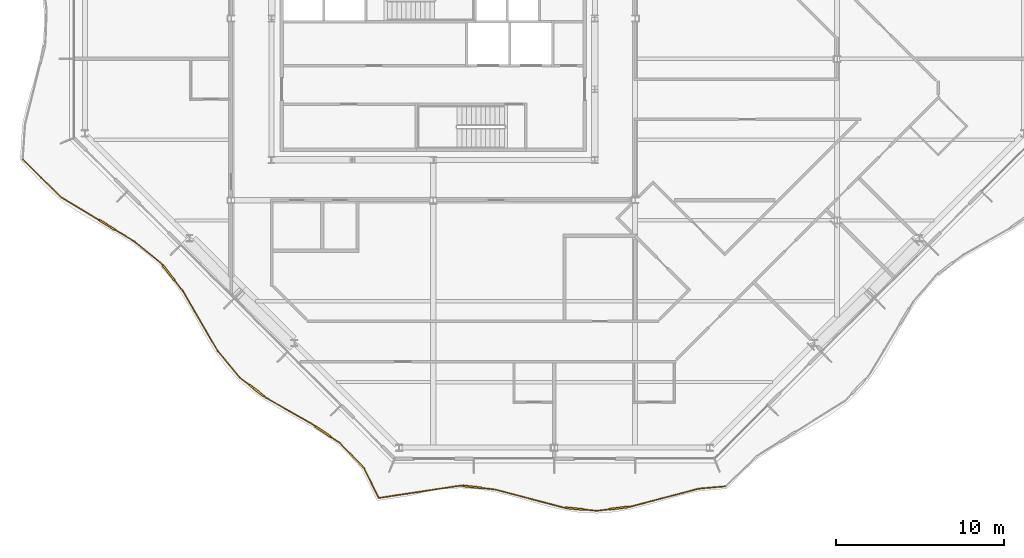
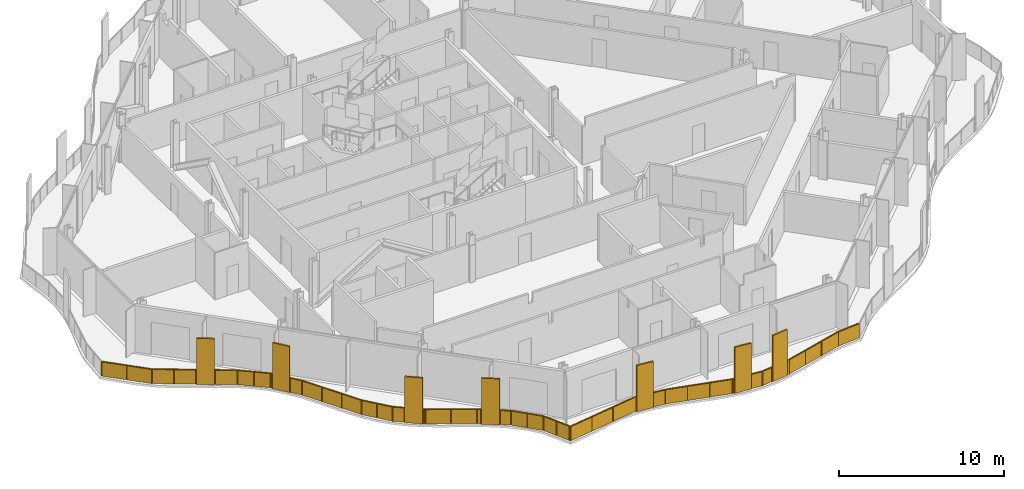
# One storey, part 13 of 17: 2 railings.
"""IFC4 building model written with IfcOpenShell, lengths in metres."""

from ifc_helpers import new_model, si_unit, direction, frame, origin, origin_2d, place, context, subcontext, project, spatial, polyline, rectangle, outline, extrude, material, type_object, element, save


model = new_model("IFC4")

# Units and contexts
model_context = context("Model", 3, precision=1e-05, world=origin(), true_north=direction((0.0, 1.0)))
body_context = subcontext(model_context, "Body", "Model", "MODEL_VIEW")
ifc_project = project(units=[si_unit("LENGTHUNIT", "METRE"), si_unit("AREAUNIT", "SQUARE_METRE"), si_unit("VOLUMEUNIT", "CUBIC_METRE"), si_unit("PLANEANGLEUNIT", "RADIAN"), si_unit("MASSUNIT", "GRAM", prefix="KILO")], contexts=[model_context])

# Site, building, storey
site_placement = place(None, origin())
site = spatial("IfcSite", under=ifc_project, at=site_placement, CompositionType="ELEMENT")
building_placement = place(site_placement, origin())
building = spatial("IfcBuilding", under=site, at=building_placement, Name="Cairn Pilgrim Tower", CompositionType="ELEMENT")
storey_placement = place(building_placement, frame((0.0, 0.0, 235.800048828125)))
storey = spatial("IfcBuildingStorey", under=building, at=storey_placement, Name="L60", CompositionType="ELEMENT", Elevation=235.800048828125)

# Railings
ifc_material = material(Name="Bronze anodised aluminium rail, posts and fin screens with laminated glass infill", Category="aluminium")
railing_type = type_object("IfcRailingType", Name="BALCONY GUARD WITH FIN SCREENS", PredefinedType="GUARDRAIL", material=ifc_material)
railing_1_placement = place(storey_placement, frame((3.95458984375, -26.085205078125, 0.0)))
element("IfcRailing", 1, at=railing_1_placement, inside=storey, type_object=railing_type, Name="Balcony guard BGF-1 with fin screens", PredefinedType="GUARDRAIL", context=body_context, shape_type="SweptSolid", body=[
    extrude(rectangle(XDim=0.050048828125, YDim=0.050048828125, at=origin_2d()), frame((0.0, 0.0, 1.0751953125), z_axis=(0.988828792328, 0.149055759579, 0.0), x_axis=(-0.149055759579, 0.988828792328, 0.0)), (0.0, 0.0, 1.0), 4.93994140625),
    extrude(rectangle(XDim=1.10009765625, YDim=0.110107421875, at=origin_2d()), frame((5.580322265625, 0.65625, 0.0), z_axis=(0.0, 0.0, 1.0), x_axis=(0.99343169529, -0.114426687416, 0.0)), (0.0, 0.0, 1.0), 3.39990234375),
    extrude(rectangle(XDim=0.050048828125, YDim=0.050048828125, at=origin_2d()), frame((4.884765625, 0.736328125, 1.0751953125), z_axis=(0.99343169529, -0.114426687416, 0.0), x_axis=(0.114426687416, 0.99343169529, 0.0)), (0.0, 0.0, 1.0), 0.150146484375),
    extrude(rectangle(XDim=0.050048828125, YDim=0.050048828125, at=origin_2d()), frame((6.126708984375, 0.59326171875, 1.0751953125), z_axis=(0.99343169529, -0.114426687416, 0.0), x_axis=(0.114426687416, 0.99343169529, 0.0)), (0.0, 0.0, 1.0), 0.815185546875),
    extrude(rectangle(XDim=0.050048828125, YDim=0.050048828125, at=origin_2d()), frame((6.9365234375, 0.5, 1.0751953125), z_axis=(0.966779559823, -0.255611585631, 0.0), x_axis=(0.255611585631, 0.966779559823, 0.0)), (0.0, 0.0, 1.0), 4.1796875),
    extrude(rectangle(XDim=1.10009765625, YDim=0.110107421875, at=origin_2d()), frame((11.674072265625, -0.636474609375, 0.0), z_axis=(0.0, 0.0, 1.0), x_axis=(0.99526514308, -0.097197196304, 0.0)), (0.0, 0.0, 1.0), 3.39990234375),
    extrude(rectangle(XDim=0.050048828125, YDim=0.050048828125, at=origin_2d()), frame((10.977294921875, -0.568359375, 1.0751953125), z_axis=(0.99526514308, -0.097197196304, 0.0), x_axis=(0.097197196304, 0.99526514308, 0.0)), (0.0, 0.0, 1.0), 0.150146484375),
    extrude(rectangle(XDim=0.050048828125, YDim=0.050048828125, at=origin_2d()), frame((12.221435546875, -0.68994140625, 1.0751953125), z_axis=(0.99526514308, -0.097197196304, 0.0), x_axis=(0.097197196304, 0.99526514308, 0.0)), (0.0, 0.0, 1.0), 0.751708984375),
    extrude(rectangle(XDim=1.10009765625, YDim=0.110107421875, at=origin_2d()), frame((14.269775390625, -0.601806640625, 0.0), z_axis=(0.0, 0.0, 1.0), x_axis=(0.992415549692, 0.122928339815, 0.0)), (0.0, 0.0, 1.0), 3.39990234375),
    extrude(rectangle(XDim=0.050048828125, YDim=0.050048828125, at=origin_2d()), frame((12.9697265625, -0.762939453125, 1.0751953125), z_axis=(0.992415549692, 0.122928339815, 0.0), x_axis=(-0.122928339815, 0.992415549692, 0.0)), (0.0, 0.0, 1.0), 0.760009765625),
    extrude(rectangle(XDim=0.050048828125, YDim=0.050048828125, at=origin_2d()), frame((14.8154296875, -0.534423828125, 1.0751953125), z_axis=(0.992415549692, 0.122928339815, 0.0), x_axis=(-0.122928339815, 0.992415549692, 0.0)), (0.0, 0.0, 1.0), 0.14990234375),
    extrude(rectangle(XDim=0.050048828125, YDim=0.050048828125, at=origin_2d()), frame((14.96435546875, -0.515869140625, 1.0751953125), z_axis=(0.966883758121, 0.255217159067, 0.0), x_axis=(-0.255217159067, 0.966883758121, 0.0)), (0.0, 0.0, 1.0), 4.18310546875),
    extrude(rectangle(XDim=0.050048828125, YDim=0.050048828125, at=origin_2d()), frame((19.009033203125, 0.5517578125, 1.0751953125), z_axis=(0.996145620937, 0.087714889772, 0.0), x_axis=(-0.087714889772, 0.996145620937, 0.0)), (0.0, 0.0, 1.0), 1.55322265625),
    extrude(rectangle(XDim=0.050048828125, YDim=0.050048828125, at=origin_2d()), origin(), (0.0, 0.0, 1.0), 1.050048828125),
    extrude(rectangle(XDim=0.050048828125, YDim=0.050048828125, at=origin_2d()), frame((1.628173828125, 0.245361328125, 0.0)), (0.0, 0.0, 1.0), 1.050048828125),
    extrude(rectangle(XDim=0.050048828125, YDim=0.050048828125, at=origin_2d()), frame((3.256591796875, 0.490966796875, 0.0)), (0.0, 0.0, 1.0), 1.050048828125),
    extrude(rectangle(XDim=0.050048828125, YDim=0.050048828125, at=origin_2d()), frame((4.884765625, 0.736328125, 0.0)), (0.0, 0.0, 1.0), 1.050048828125),
    extrude(rectangle(XDim=0.050048828125, YDim=0.050048828125, at=origin_2d()), frame((5.009033203125, 0.721923828125, 0.0)), (0.0, 0.0, 1.0), 1.050048828125),
    extrude(rectangle(XDim=0.050048828125, YDim=0.050048828125, at=origin_2d()), frame((6.151611328125, 0.59033203125, 0.0)), (0.0, 0.0, 1.0), 1.050048828125),
    extrude(rectangle(XDim=0.050048828125, YDim=0.050048828125, at=origin_2d()), frame((6.9365234375, 0.5, 0.0)), (0.0, 0.0, 1.0), 1.050048828125),
    extrude(rectangle(XDim=0.050048828125, YDim=0.050048828125, at=origin_2d()), frame((8.283447265625, 0.143798828125, 0.0)), (0.0, 0.0, 1.0), 1.050048828125),
    extrude(rectangle(XDim=0.050048828125, YDim=0.050048828125, at=origin_2d()), frame((9.63037109375, -0.212158203125, 0.0)), (0.0, 0.0, 1.0), 1.050048828125),
    extrude(rectangle(XDim=0.050048828125, YDim=0.050048828125, at=origin_2d()), frame((10.977294921875, -0.568359375, 0.0)), (0.0, 0.0, 1.0), 1.050048828125),
    extrude(rectangle(XDim=0.050048828125, YDim=0.050048828125, at=origin_2d()), frame((11.101806640625, -0.58056640625, 0.0)), (0.0, 0.0, 1.0), 1.050048828125),
    extrude(rectangle(XDim=0.050048828125, YDim=0.050048828125, at=origin_2d()), frame((12.246337890625, -0.6923828125, 0.0)), (0.0, 0.0, 1.0), 1.050048828125),
    extrude(rectangle(XDim=0.050048828125, YDim=0.050048828125, at=origin_2d()), frame((12.9697265625, -0.762939453125, 0.0)), (0.0, 0.0, 1.0), 1.050048828125),
    extrude(rectangle(XDim=0.050048828125, YDim=0.050048828125, at=origin_2d()), frame((13.698974609375, -0.672607421875, 0.0)), (0.0, 0.0, 1.0), 1.050048828125),
    extrude(rectangle(XDim=0.050048828125, YDim=0.050048828125, at=origin_2d()), frame((14.84033203125, -0.53125, 0.0)), (0.0, 0.0, 1.0), 1.050048828125),
    extrude(rectangle(XDim=0.050048828125, YDim=0.050048828125, at=origin_2d()), frame((14.96435546875, -0.515869140625, 0.0)), (0.0, 0.0, 1.0), 1.050048828125),
    extrude(rectangle(XDim=0.050048828125, YDim=0.050048828125, at=origin_2d()), frame((16.3125, -0.159912109375, 0.0)), (0.0, 0.0, 1.0), 1.050048828125),
    extrude(rectangle(XDim=0.050048828125, YDim=0.050048828125, at=origin_2d()), frame((17.660888671875, 0.19580078125, 0.0)), (0.0, 0.0, 1.0), 1.050048828125),
    extrude(rectangle(XDim=0.050048828125, YDim=0.050048828125, at=origin_2d()), frame((19.009033203125, 0.5517578125, 0.0)), (0.0, 0.0, 1.0), 1.050048828125),
    extrude(rectangle(XDim=0.050048828125, YDim=0.050048828125, at=origin_2d()), frame((20.55615234375, 0.68798828125, 0.0)), (0.0, 0.0, 1.0), 1.050048828125),
    extrude(outline(polyline([(0.02490234375, 0.0), (1.62158203125, 0.0), (1.62158203125, 1.050048828125), (0.02490234375, 1.050048828125), (0.02490234375, 0.0)])), frame((-0.0009765625, 0.005859375, 0.0), z_axis=(0.149055759579, -0.988828792328, 0.0), x_axis=(0.988828792328, 0.149055759579, 0.0)), (0.0, 0.0, 1.0), 0.011962890625),
    extrude(outline(polyline([(0.02490234375, 0.0), (1.62158203125, 0.0), (1.62158203125, 1.050048828125), (0.02490234375, 1.050048828125), (0.02490234375, 0.0)])), frame((1.62744140625, 0.25146484375, 0.0), z_axis=(0.149055759579, -0.988828792328, 0.0), x_axis=(0.988828792328, 0.149055759579, 0.0)), (0.0, 0.0, 1.0), 0.011962890625),
    extrude(outline(polyline([(0.02490234375, 0.0), (1.62158203125, 0.0), (1.62158203125, 1.050048828125), (0.02490234375, 1.050048828125), (0.02490234375, 0.0)])), frame((3.255615234375, 0.496826171875, 0.0), z_axis=(0.149055759579, -0.988828792328, 0.0), x_axis=(0.988828792328, 0.149055759579, 0.0)), (0.0, 0.0, 1.0), 0.011962890625),
    extrude(outline(polyline([(0.02490234375, 0.0), (0.10009765625, 0.0), (0.10009765625, 1.050048828125), (0.02490234375, 1.050048828125), (0.02490234375, 0.0)])), frame((4.885498046875, 0.7421875, 0.0), z_axis=(-0.114426687416, -0.99343169529, 0.0), x_axis=(0.99343169529, -0.114426687416, 0.0)), (0.0, 0.0, 1.0), 0.011962890625),
    extrude(outline(polyline([(0.02490234375, 0.0), (0.76513671875, 0.0), (0.76513671875, 1.050048828125), (0.02490234375, 1.050048828125), (0.02490234375, 0.0)])), frame((6.15234375, 0.596435546875, 0.0), z_axis=(-0.114426687416, -0.99343169529, 0.0), x_axis=(0.99343169529, -0.114426687416, 0.0)), (0.0, 0.0, 1.0), 0.011962890625),
    extrude(outline(polyline([(0.02490234375, 0.0), (1.3681640625, 0.0), (1.3681640625, 1.050048828125), (0.02490234375, 1.050048828125), (0.02490234375, 0.0)])), frame((6.93798828125, 0.505859375, 0.0), z_axis=(-0.255611585631, -0.966779559823, 0.0), x_axis=(0.966779559823, -0.255611585631, 0.0)), (0.0, 0.0, 1.0), 0.011962890625),
    extrude(outline(polyline([(0.02490234375, 0.0), (1.3681640625, 0.0), (1.3681640625, 1.050048828125), (0.02490234375, 1.050048828125), (0.02490234375, 0.0)])), frame((8.284912109375, 0.149658203125, 0.0), z_axis=(-0.255611585631, -0.966779559823, 0.0), x_axis=(0.966779559823, -0.255611585631, 0.0)), (0.0, 0.0, 1.0), 0.011962890625),
    extrude(outline(polyline([(0.02490234375, 0.0), (1.3681640625, 0.0), (1.3681640625, 1.050048828125), (0.02490234375, 1.050048828125), (0.02490234375, 0.0)])), frame((9.6318359375, -0.20654296875, 0.0), z_axis=(-0.255611585631, -0.966779559823, 0.0), x_axis=(0.966779559823, -0.255611585631, 0.0)), (0.0, 0.0, 1.0), 0.011962890625),
    extrude(outline(polyline([(0.02490234375, 0.0), (0.10009765625, 0.0), (0.10009765625, 1.050048828125), (0.02490234375, 1.050048828125), (0.02490234375, 0.0)])), frame((10.977783203125, -0.5625, 0.0), z_axis=(-0.097197196304, -0.99526514308, 0.0), x_axis=(0.99526514308, -0.097197196304, 0.0)), (0.0, 0.0, 1.0), 0.011962890625),
    extrude(outline(polyline([(0.02490234375, 0.0), (0.70166015625, 0.0), (0.70166015625, 1.050048828125), (0.02490234375, 1.050048828125), (0.02490234375, 0.0)])), frame((12.2470703125, -0.686279296875, 0.0), z_axis=(-0.097197196304, -0.99526514308, 0.0), x_axis=(0.99526514308, -0.097197196304, 0.0)), (0.0, 0.0, 1.0), 0.011962890625),
    extrude(outline(polyline([(0.02490234375, 0.0), (0.7099609375, 0.0), (0.7099609375, 1.050048828125), (0.02490234375, 1.050048828125), (0.02490234375, 0.0)])), frame((12.968994140625, -0.757080078125, 0.0), z_axis=(0.122928339815, -0.992415549692, 0.0), x_axis=(0.992415549692, 0.122928339815, 0.0)), (0.0, 0.0, 1.0), 0.011962890625),
    extrude(outline(polyline([(0.02490234375, 0.0), (0.099853515625, 0.0), (0.099853515625, 1.050048828125), (0.02490234375, 1.050048828125), (0.02490234375, 0.0)])), frame((14.839599609375, -0.525390625, 0.0), z_axis=(0.122928339815, -0.992415549692, 0.0), x_axis=(0.992415549692, 0.122928339815, 0.0)), (0.0, 0.0, 1.0), 0.011962890625),
    extrude(outline(polyline([(0.02490234375, 0.0), (1.369384765625, 0.0), (1.369384765625, 1.050048828125), (0.02490234375, 1.050048828125), (0.02490234375, 0.0)])), frame((14.962890625, -0.510009765625, 0.0), z_axis=(0.255217159067, -0.966883758121, 0.0), x_axis=(0.966883758121, 0.255217159067, 0.0)), (0.0, 0.0, 1.0), 0.011962890625),
    extrude(outline(polyline([(0.02490234375, 0.0), (1.369384765625, 0.0), (1.369384765625, 1.050048828125), (0.02490234375, 1.050048828125), (0.02490234375, 0.0)])), frame((16.31103515625, -0.154296875, 0.0), z_axis=(0.255217159067, -0.966883758121, 0.0), x_axis=(0.966883758121, 0.255217159067, 0.0)), (0.0, 0.0, 1.0), 0.011962890625),
    extrude(outline(polyline([(0.02490234375, 0.0), (1.369384765625, 0.0), (1.369384765625, 1.050048828125), (0.02490234375, 1.050048828125), (0.02490234375, 0.0)])), frame((17.6591796875, 0.20166015625, 0.0), z_axis=(0.255217159067, -0.966883758121, 0.0), x_axis=(0.966883758121, 0.255217159067, 0.0)), (0.0, 0.0, 1.0), 0.011962890625),
    extrude(outline(polyline([(0.02490234375, 0.0), (1.528076171875, 0.0), (1.528076171875, 1.050048828125), (0.02490234375, 1.050048828125), (0.02490234375, 0.0)])), frame((19.008544921875, 0.5576171875, 0.0), z_axis=(0.087714889772, -0.996145620937, 0.0), x_axis=(0.996145620937, 0.087714889772, 0.0)), (0.0, 0.0, 1.0), 0.011962890625),
])
railing_2_placement = place(storey_placement, frame((-17.195068359375, -5.96337890625, 0.0)))
element("IfcRailing", 2, at=railing_2_placement, inside=storey, type_object=railing_type, Name="Balcony guard BGF-8 with fin screens", PredefinedType="GUARDRAIL", context=body_context, shape_type="SweptSolid", body=[
    extrude(rectangle(XDim=0.050048828125, YDim=0.050048828125, at=origin_2d()), frame((0.0, 0.0, 1.0751953125), z_axis=(0.710319357523, -0.703879542485, 0.0), x_axis=(0.703879542485, 0.710319357523, 0.0)), (0.0, 0.0, 1.0), 3.146728515625),
    extrude(rectangle(XDim=1.10009765625, YDim=0.110107421875, at=origin_2d()), frame((5.015380859375, -3.898681640625, 0.0), z_axis=(0.0, 0.0, 1.0), x_axis=(0.855373456849, -0.518011823531, 0.0)), (0.0, 0.0, 1.0), 3.39990234375),
    extrude(rectangle(XDim=0.050048828125, YDim=0.050048828125, at=origin_2d()), frame((2.235107421875, -2.21484375, 1.0751953125), z_axis=(0.855373456849, -0.518011823531, 0.0), x_axis=(0.518011823531, 0.855373456849, 0.0)), (0.0, 0.0, 1.0), 2.700439453125),
    extrude(rectangle(XDim=0.050048828125, YDim=0.050048828125, at=origin_2d()), frame((5.48583984375, -4.18359375, 1.0751953125), z_axis=(0.855373456849, -0.518011823531, 0.0), x_axis=(0.518011823531, 0.855373456849, 0.0)), (0.0, 0.0, 1.0), 1.3701171875),
    extrude(rectangle(XDim=0.050048828125, YDim=0.050048828125, at=origin_2d()), frame((6.657958984375, -4.893310546875, 1.0751953125), z_axis=(0.77317077216, -0.634197884795, 0.0), x_axis=(0.634197884795, 0.77317077216, 0.0)), (0.0, 0.0, 1.0), 2.04833984375),
    extrude(rectangle(XDim=1.10009765625, YDim=0.110107421875, at=origin_2d()), frame((8.67333984375, -6.743408203125, 0.0), z_axis=(0.0, 0.0, 1.0), x_axis=(0.616555115218, -0.787311748864, 0.0)), (0.0, 0.0, 1.0), 3.39990234375),
    extrude(rectangle(XDim=0.050048828125, YDim=0.050048828125, at=origin_2d()), frame((8.24169921875, -6.1923828125, 1.0751953125), z_axis=(0.616555115218, -0.787311748864, 0.0), x_axis=(0.787311748864, 0.616555115218, 0.0)), (0.0, 0.0, 1.0), 0.14990234375),
    extrude(rectangle(XDim=0.050048828125, YDim=0.050048828125, at=origin_2d()), frame((9.012451171875, -7.176513671875, 1.0751953125), z_axis=(0.616555115218, -0.787311748864, 0.0), x_axis=(0.787311748864, 0.616555115218, 0.0)), (0.0, 0.0, 1.0), 0.80322265625),
    extrude(rectangle(XDim=0.050048828125, YDim=0.050048828125, at=origin_2d()), frame((9.507568359375, -7.808837890625, 1.0751953125), z_axis=(0.502793899658, -0.864406324865, 0.0), x_axis=(0.864406324865, 0.502793899658, 0.0)), (0.0, 0.0, 1.0), 4.158935546875),
    extrude(rectangle(XDim=0.050048828125, YDim=0.050048828125, at=origin_2d()), frame((11.5986328125, -11.40380859375, 1.0751953125), z_axis=(0.637793516005, -0.77020739476, 0.0), x_axis=(0.77020739476, 0.637793516005, 0.0)), (0.0, 0.0, 1.0), 1.9912109375),
    extrude(rectangle(XDim=1.10009765625, YDim=0.110107421875, at=origin_2d()), frame((13.895751953125, -13.734130859375, 0.0), z_axis=(0.0, 0.0, 1.0), x_axis=(0.790153444295, -0.612909075205, 0.0)), (0.0, 0.0, 1.0), 3.39990234375),
    extrude(rectangle(XDim=0.050048828125, YDim=0.050048828125, at=origin_2d()), frame((12.86865234375, -12.9375, 1.0751953125), z_axis=(0.790153444295, -0.612909075205, 0.0), x_axis=(0.612909075205, 0.790153444295, 0.0)), (0.0, 0.0, 1.0), 0.75),
    extrude(rectangle(XDim=0.050048828125, YDim=0.050048828125, at=origin_2d()), frame((14.330322265625, -14.0712890625, 1.0751953125), z_axis=(0.790153444295, -0.612909075205, 0.0), x_axis=(0.612909075205, 0.790153444295, 0.0)), (0.0, 0.0, 1.0), 0.150146484375),
    extrude(rectangle(XDim=0.050048828125, YDim=0.050048828125, at=origin_2d()), frame((14.448974609375, -14.163330078125, 1.0751953125), z_axis=(0.869447404783, -0.494025515856, 0.0), x_axis=(0.494025515856, 0.869447404783, 0.0)), (0.0, 0.0, 1.0), 3.124755859375),
    extrude(rectangle(XDim=1.10009765625, YDim=0.110107421875, at=origin_2d()), frame((17.8515625, -16.176513671875, 0.0), z_axis=(0.0, 0.0, 1.0), x_axis=(0.825176937631, -0.564874341426, 0.0)), (0.0, 0.0, 1.0), 3.39990234375),
    extrude(rectangle(XDim=0.050048828125, YDim=0.050048828125, at=origin_2d()), frame((17.165771484375, -15.70703125, 1.0751953125), z_axis=(0.825176937631, -0.564874341426, 0.0), x_axis=(0.564874341426, 0.825176937631, 0.0)), (0.0, 0.0, 1.0), 0.281005859375),
    extrude(rectangle(XDim=0.050048828125, YDim=0.050048828125, at=origin_2d()), frame((18.305419921875, -16.487060546875, 1.0751953125), z_axis=(0.825176937631, -0.564874341426, 0.0), x_axis=(0.564874341426, 0.825176937631, 0.0)), (0.0, 0.0, 1.0), 0.68701171875),
    extrude(rectangle(XDim=0.050048828125, YDim=0.050048828125, at=origin_2d()), frame((18.872314453125, -16.875244140625, 1.0751953125), z_axis=(0.691036128457, -0.722820219119, 0.0), x_axis=(0.722820219119, 0.691036128457, 0.0)), (0.0, 0.0, 1.0), 2.05078125),
    extrude(rectangle(XDim=0.050048828125, YDim=0.050048828125, at=origin_2d()), frame((20.28955078125, -18.357666015625, 1.0751953125), z_axis=(0.438208727109, -0.898873245505, 0.0), x_axis=(0.898873245505, 0.438208727109, 0.0)), (0.0, 0.0, 1.0), 1.902587890625),
    extrude(rectangle(XDim=0.050048828125, YDim=0.050048828125, at=origin_2d()), origin(), (0.0, 0.0, 1.0), 1.050048828125),
    extrude(rectangle(XDim=0.050048828125, YDim=0.050048828125, at=origin_2d()), frame((1.11767578125, -1.107421875, 0.0)), (0.0, 0.0, 1.0), 1.050048828125),
    extrude(rectangle(XDim=0.050048828125, YDim=0.050048828125, at=origin_2d()), frame((2.235107421875, -2.21484375, 0.0)), (0.0, 0.0, 1.0), 1.050048828125),
    extrude(rectangle(XDim=0.050048828125, YDim=0.050048828125, at=origin_2d()), frame((3.37939453125, -2.90771484375, 0.0)), (0.0, 0.0, 1.0), 1.050048828125),
    extrude(rectangle(XDim=0.050048828125, YDim=0.050048828125, at=origin_2d()), frame((4.523681640625, -3.600830078125, 0.0)), (0.0, 0.0, 1.0), 1.050048828125),
    extrude(rectangle(XDim=0.050048828125, YDim=0.050048828125, at=origin_2d()), frame((5.50732421875, -4.196533203125, 0.0)), (0.0, 0.0, 1.0), 1.050048828125),
    extrude(rectangle(XDim=0.050048828125, YDim=0.050048828125, at=origin_2d()), frame((6.657958984375, -4.893310546875, 0.0)), (0.0, 0.0, 1.0), 1.050048828125),
    extrude(rectangle(XDim=0.050048828125, YDim=0.050048828125, at=origin_2d()), frame((7.44970703125, -5.54296875, 0.0)), (0.0, 0.0, 1.0), 1.050048828125),
    extrude(rectangle(XDim=0.050048828125, YDim=0.050048828125, at=origin_2d()), frame((8.24169921875, -6.1923828125, 0.0)), (0.0, 0.0, 1.0), 1.050048828125),
    extrude(rectangle(XDim=0.050048828125, YDim=0.050048828125, at=origin_2d()), frame((8.318603515625, -6.290771484375, 0.0)), (0.0, 0.0, 1.0), 1.050048828125),
    extrude(rectangle(XDim=0.050048828125, YDim=0.050048828125, at=origin_2d()), frame((9.02783203125, -7.1962890625, 0.0)), (0.0, 0.0, 1.0), 1.050048828125),
    extrude(rectangle(XDim=0.050048828125, YDim=0.050048828125, at=origin_2d()), frame((9.507568359375, -7.808837890625, 0.0)), (0.0, 0.0, 1.0), 1.050048828125),
    extrude(rectangle(XDim=0.050048828125, YDim=0.050048828125, at=origin_2d()), frame((10.20458984375, -9.007080078125, 0.0)), (0.0, 0.0, 1.0), 1.050048828125),
    extrude(rectangle(XDim=0.050048828125, YDim=0.050048828125, at=origin_2d()), frame((10.901611328125, -10.20556640625, 0.0)), (0.0, 0.0, 1.0), 1.050048828125),
    extrude(rectangle(XDim=0.050048828125, YDim=0.050048828125, at=origin_2d()), frame((11.5986328125, -11.40380859375, 0.0)), (0.0, 0.0, 1.0), 1.050048828125),
    extrude(rectangle(XDim=0.050048828125, YDim=0.050048828125, at=origin_2d()), frame((12.233642578125, -12.170654296875, 0.0)), (0.0, 0.0, 1.0), 1.050048828125),
    extrude(rectangle(XDim=0.050048828125, YDim=0.050048828125, at=origin_2d()), frame((12.86865234375, -12.9375, 0.0)), (0.0, 0.0, 1.0), 1.050048828125),
    extrude(rectangle(XDim=0.050048828125, YDim=0.050048828125, at=origin_2d()), frame((13.44140625, -13.3818359375, 0.0)), (0.0, 0.0, 1.0), 1.050048828125),
    extrude(rectangle(XDim=0.050048828125, YDim=0.050048828125, at=origin_2d()), frame((14.35009765625, -14.086669921875, 0.0)), (0.0, 0.0, 1.0), 1.050048828125),
    extrude(rectangle(XDim=0.050048828125, YDim=0.050048828125, at=origin_2d()), frame((14.448974609375, -14.163330078125, 0.0)), (0.0, 0.0, 1.0), 1.050048828125),
    extrude(rectangle(XDim=0.050048828125, YDim=0.050048828125, at=origin_2d()), frame((15.807373046875, -14.93505859375, 0.0)), (0.0, 0.0, 1.0), 1.050048828125),
    extrude(rectangle(XDim=0.050048828125, YDim=0.050048828125, at=origin_2d()), frame((17.165771484375, -15.70703125, 0.0)), (0.0, 0.0, 1.0), 1.050048828125),
    extrude(rectangle(XDim=0.050048828125, YDim=0.050048828125, at=origin_2d()), frame((17.376953125, -15.8515625, 0.0)), (0.0, 0.0, 1.0), 1.050048828125),
    extrude(rectangle(XDim=0.050048828125, YDim=0.050048828125, at=origin_2d()), frame((18.325927734375, -16.501220703125, 0.0)), (0.0, 0.0, 1.0), 1.050048828125),
    extrude(rectangle(XDim=0.050048828125, YDim=0.050048828125, at=origin_2d()), frame((18.872314453125, -16.875244140625, 0.0)), (0.0, 0.0, 1.0), 1.050048828125),
    extrude(rectangle(XDim=0.050048828125, YDim=0.050048828125, at=origin_2d()), frame((19.5810546875, -17.616455078125, 0.0)), (0.0, 0.0, 1.0), 1.050048828125),
    extrude(rectangle(XDim=0.050048828125, YDim=0.050048828125, at=origin_2d()), frame((20.28955078125, -18.357666015625, 0.0)), (0.0, 0.0, 1.0), 1.050048828125),
    extrude(rectangle(XDim=0.050048828125, YDim=0.050048828125, at=origin_2d()), frame((20.70654296875, -19.212890625, 0.0)), (0.0, 0.0, 1.0), 1.050048828125),
    extrude(rectangle(XDim=0.050048828125, YDim=0.050048828125, at=origin_2d()), frame((21.123291015625, -20.06787109375, 0.0)), (0.0, 0.0, 1.0), 1.050048828125),
    extrude(outline(polyline([(0.02490234375, 0.0), (1.54833984375, 0.0), (1.54833984375, 1.050048828125), (0.02490234375, 1.050048828125), (0.02490234375, 0.0)])), frame((0.004150390625, 0.004150390625, 0.0), z_axis=(-0.703879542485, -0.710319357523, 0.0), x_axis=(0.710319357523, -0.703879542485, 0.0)), (0.0, 0.0, 1.0), 0.011962890625),
    extrude(outline(polyline([(0.02490234375, 0.0), (1.54833984375, 0.0), (1.54833984375, 1.050048828125), (0.02490234375, 1.050048828125), (0.02490234375, 0.0)])), frame((1.121826171875, -1.103271484375, 0.0), z_axis=(-0.703879542485, -0.710319357523, 0.0), x_axis=(0.710319357523, -0.703879542485, 0.0)), (0.0, 0.0, 1.0), 0.011962890625),
    extrude(outline(polyline([(0.02490234375, 0.0), (1.312744140625, 0.0), (1.312744140625, 1.050048828125), (0.02490234375, 1.050048828125), (0.02490234375, 0.0)])), frame((2.23828125, -2.209716796875, 0.0), z_axis=(-0.518011823531, -0.855373456849, 0.0), x_axis=(0.855373456849, -0.518011823531, 0.0)), (0.0, 0.0, 1.0), 0.011962890625),
    extrude(outline(polyline([(0.02490234375, 0.0), (1.312744140625, 0.0), (1.312744140625, 1.050048828125), (0.02490234375, 1.050048828125), (0.02490234375, 0.0)])), frame((3.382568359375, -2.902587890625, 0.0), z_axis=(-0.518011823531, -0.855373456849, 0.0), x_axis=(0.855373456849, -0.518011823531, 0.0)), (0.0, 0.0, 1.0), 0.011962890625),
    extrude(outline(polyline([(0.02490234375, 0.0), (1.320068359375, 0.0), (1.320068359375, 1.050048828125), (0.02490234375, 1.050048828125), (0.02490234375, 0.0)])), frame((5.510498046875, -4.19140625, 0.0), z_axis=(-0.518011823531, -0.855373456849, 0.0), x_axis=(0.855373456849, -0.518011823531, 0.0)), (0.0, 0.0, 1.0), 0.011962890625),
    extrude(outline(polyline([(0.02490234375, 0.0), (0.999267578125, 0.0), (0.999267578125, 1.050048828125), (0.02490234375, 1.050048828125), (0.02490234375, 0.0)])), frame((6.661865234375, -4.888671875, 0.0), z_axis=(-0.634197884795, -0.77317077216, 0.0), x_axis=(0.77317077216, -0.634197884795, 0.0)), (0.0, 0.0, 1.0), 0.011962890625),
    extrude(outline(polyline([(0.02490234375, 0.0), (0.999267578125, 0.0), (0.999267578125, 1.050048828125), (0.02490234375, 1.050048828125), (0.02490234375, 0.0)])), frame((7.45361328125, -5.538330078125, 0.0), z_axis=(-0.634197884795, -0.77317077216, 0.0), x_axis=(0.77317077216, -0.634197884795, 0.0)), (0.0, 0.0, 1.0), 0.011962890625),
    extrude(outline(polyline([(0.02490234375, 0.0), (0.099853515625, 0.0), (0.099853515625, 1.050048828125), (0.02490234375, 1.050048828125), (0.02490234375, 0.0)])), frame((8.246337890625, -6.188720703125, 0.0), z_axis=(-0.787311748864, -0.616555115218, 0.0), x_axis=(0.616555115218, -0.787311748864, 0.0)), (0.0, 0.0, 1.0), 0.011962890625),
    extrude(outline(polyline([(0.02490234375, 0.0), (0.753173828125, 0.0), (0.753173828125, 1.050048828125), (0.02490234375, 1.050048828125), (0.02490234375, 0.0)])), frame((9.032470703125, -7.1923828125, 0.0), z_axis=(-0.787311748864, -0.616555115218, 0.0), x_axis=(0.616555115218, -0.787311748864, 0.0)), (0.0, 0.0, 1.0), 0.011962890625),
    extrude(outline(polyline([(0.02490234375, 0.0), (1.361328125, 0.0), (1.361328125, 1.050048828125), (0.02490234375, 1.050048828125), (0.02490234375, 0.0)])), frame((9.5126953125, -7.805908203125, 0.0), z_axis=(-0.864406324865, -0.502793899658, 0.0), x_axis=(0.502793899658, -0.864406324865, 0.0)), (0.0, 0.0, 1.0), 0.011962890625),
    extrude(outline(polyline([(0.02490234375, 0.0), (1.361328125, 0.0), (1.361328125, 1.050048828125), (0.02490234375, 1.050048828125), (0.02490234375, 0.0)])), frame((10.209716796875, -9.004150390625, 0.0), z_axis=(-0.864406324865, -0.502793899658, 0.0), x_axis=(0.502793899658, -0.864406324865, 0.0)), (0.0, 0.0, 1.0), 0.011962890625),
    extrude(outline(polyline([(0.02490234375, 0.0), (1.361328125, 0.0), (1.361328125, 1.050048828125), (0.02490234375, 1.050048828125), (0.02490234375, 0.0)])), frame((10.90673828125, -10.202392578125, 0.0), z_axis=(-0.864406324865, -0.502793899658, 0.0), x_axis=(0.502793899658, -0.864406324865, 0.0)), (0.0, 0.0, 1.0), 0.011962890625),
    extrude(outline(polyline([(0.02490234375, 0.0), (0.970703125, 0.0), (0.970703125, 1.050048828125), (0.02490234375, 1.050048828125), (0.02490234375, 0.0)])), frame((11.603271484375, -11.39990234375, 0.0), z_axis=(-0.77020739476, -0.637793516005, 0.0), x_axis=(0.637793516005, -0.77020739476, 0.0)), (0.0, 0.0, 1.0), 0.011962890625),
    extrude(outline(polyline([(0.02490234375, 0.0), (0.970703125, 0.0), (0.970703125, 1.050048828125), (0.02490234375, 1.050048828125), (0.02490234375, 0.0)])), frame((12.23828125, -12.166748046875, 0.0), z_axis=(-0.77020739476, -0.637793516005, 0.0), x_axis=(0.637793516005, -0.77020739476, 0.0)), (0.0, 0.0, 1.0), 0.011962890625),
    extrude(outline(polyline([(0.02490234375, 0.0), (0.699951171875, 0.0), (0.699951171875, 1.050048828125), (0.02490234375, 1.050048828125), (0.02490234375, 0.0)])), frame((12.872314453125, -12.932861328125, 0.0), z_axis=(-0.612909075205, -0.790153444295, 0.0), x_axis=(0.790153444295, -0.612909075205, 0.0)), (0.0, 0.0, 1.0), 0.011962890625),
    extrude(outline(polyline([(0.02490234375, 0.0), (0.10009765625, 0.0), (0.10009765625, 1.050048828125), (0.02490234375, 1.050048828125), (0.02490234375, 0.0)])), frame((14.353759765625, -14.08203125, 0.0), z_axis=(-0.612909075205, -0.790153444295, 0.0), x_axis=(0.790153444295, -0.612909075205, 0.0)), (0.0, 0.0, 1.0), 0.011962890625),
    extrude(outline(polyline([(0.02490234375, 0.0), (1.537353515625, 0.0), (1.537353515625, 1.050048828125), (0.02490234375, 1.050048828125), (0.02490234375, 0.0)])), frame((14.451904296875, -14.158203125, 0.0), z_axis=(-0.494025515856, -0.869447404783, 0.0), x_axis=(0.869447404783, -0.494025515856, 0.0)), (0.0, 0.0, 1.0), 0.011962890625),
    extrude(outline(polyline([(0.02490234375, 0.0), (1.537353515625, 0.0), (1.537353515625, 1.050048828125), (0.02490234375, 1.050048828125), (0.02490234375, 0.0)])), frame((15.810302734375, -14.929931640625, 0.0), z_axis=(-0.494025515856, -0.869447404783, 0.0), x_axis=(0.869447404783, -0.494025515856, 0.0)), (0.0, 0.0, 1.0), 0.011962890625),
    extrude(outline(polyline([(0.02490234375, 0.0), (0.23095703125, 0.0), (0.23095703125, 1.050048828125), (0.02490234375, 1.050048828125), (0.02490234375, 0.0)])), frame((17.169189453125, -15.7021484375, 0.0), z_axis=(-0.564874341426, -0.825176937631, 0.0), x_axis=(0.825176937631, -0.564874341426, 0.0)), (0.0, 0.0, 1.0), 0.011962890625),
    extrude(outline(polyline([(0.02490234375, 0.0), (0.636962890625, 0.0), (0.636962890625, 1.050048828125), (0.02490234375, 1.050048828125), (0.02490234375, 0.0)])), frame((18.329345703125, -16.496337890625, 0.0), z_axis=(-0.564874341426, -0.825176937631, 0.0), x_axis=(0.825176937631, -0.564874341426, 0.0)), (0.0, 0.0, 1.0), 0.011962890625),
    extrude(outline(polyline([(0.02490234375, 0.0), (1.00048828125, 0.0), (1.00048828125, 1.050048828125), (0.02490234375, 1.050048828125), (0.02490234375, 0.0)])), frame((18.876708984375, -16.87109375, 0.0), z_axis=(-0.722820219119, -0.691036128457, 0.0), x_axis=(0.691036128457, -0.722820219119, 0.0)), (0.0, 0.0, 1.0), 0.011962890625),
    extrude(outline(polyline([(0.02490234375, 0.0), (1.00048828125, 0.0), (1.00048828125, 1.050048828125), (0.02490234375, 1.050048828125), (0.02490234375, 0.0)])), frame((19.585205078125, -17.6123046875, 0.0), z_axis=(-0.722820219119, -0.691036128457, 0.0), x_axis=(0.691036128457, -0.722820219119, 0.0)), (0.0, 0.0, 1.0), 0.011962890625),
    extrude(outline(polyline([(0.02490234375, 0.0), (0.92626953125, 0.0), (0.92626953125, 1.050048828125), (0.02490234375, 1.050048828125), (0.02490234375, 0.0)])), frame((20.294921875, -18.35498046875, 0.0), z_axis=(-0.898873245505, -0.438208727109, 0.0), x_axis=(0.438208727109, -0.898873245505, 0.0)), (0.0, 0.0, 1.0), 0.011962890625),
    extrude(outline(polyline([(0.02490234375, 0.0), (0.92626953125, 0.0), (0.92626953125, 1.050048828125), (0.02490234375, 1.050048828125), (0.02490234375, 0.0)])), frame((20.7119140625, -19.210205078125, 0.0), z_axis=(-0.898873245505, -0.438208727109, 0.0), x_axis=(0.438208727109, -0.898873245505, 0.0)), (0.0, 0.0, 1.0), 0.011962890625),
])

save(model, "model.ifc")
